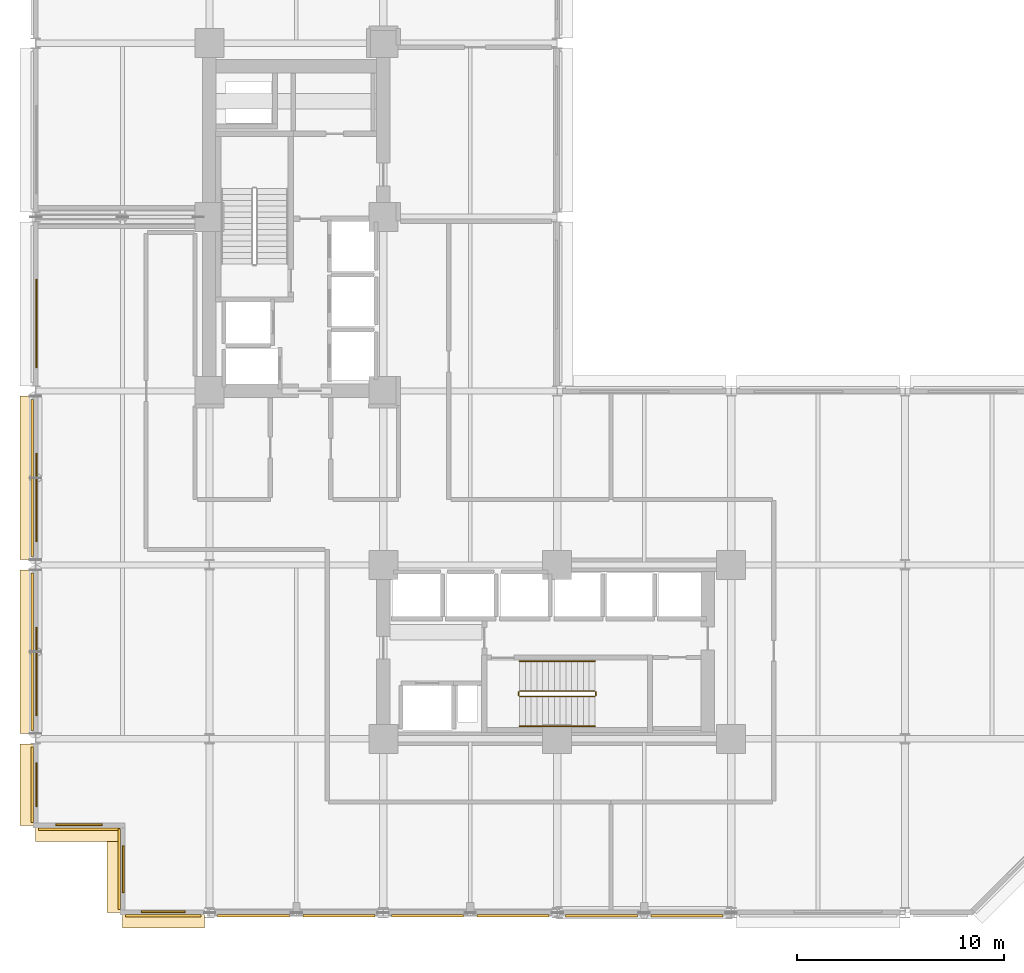
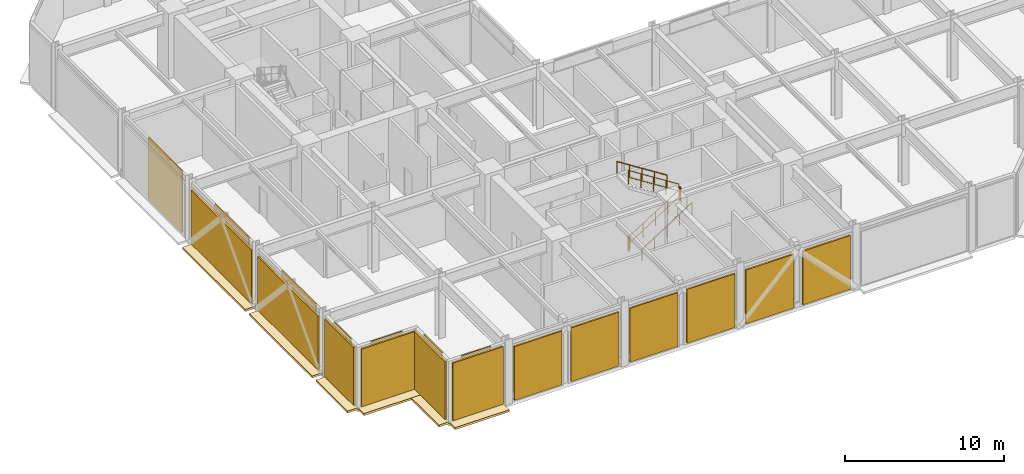
# One storey, part 10 of 13: 13 coverings, 12 shading devices, 6 railings.
"""IFC4 building model written with IfcOpenShell, lengths in metres."""

from ifc_helpers import new_model, si_unit, direction, frame, origin, origin_2d, place, context, subcontext, project, spatial, polyline, rectangle, circle, outline, extrude, material, layer, layer_set, type_object, element, save


model = new_model("IFC4")

# Units and contexts
model_context = context("Model", 3, precision=1e-05, world=origin(), true_north=direction((0.0, 1.0)))
body_context = subcontext(model_context, "Body", "Model", "MODEL_VIEW")
ifc_project = project(units=[si_unit("LENGTHUNIT", "METRE"), si_unit("AREAUNIT", "SQUARE_METRE"), si_unit("VOLUMEUNIT", "CUBIC_METRE"), si_unit("PLANEANGLEUNIT", "RADIAN"), si_unit("MASSUNIT", "GRAM", prefix="KILO")], contexts=[model_context])

# Site, building, storey
site_placement = place(None, origin())
site = spatial("IfcSite", under=ifc_project, at=site_placement, CompositionType="ELEMENT")
building_placement = place(site_placement, origin())
building = spatial("IfcBuilding", under=site, at=building_placement, Name="Nerrivon Quay Data Exchange", CompositionType="ELEMENT")
storey_placement = place(building_placement, frame((0.0, 0.0, 79.39990234375)))
storey = spatial("IfcBuildingStorey", under=building, at=storey_placement, Name="L18", CompositionType="ELEMENT", Elevation=79.39990234375)

# Coverings
ifc_material_1 = material(Name="Architectural terracotta ceramic", Category="masonry")
ifc_layer_1 = layer(ifc_material_1, 0.159912109375)
ifc_layer_set_1 = layer_set([ifc_layer_1], Name="Architectural terracotta ceramic")
covering_type_1 = type_object("IfcCoveringType", Name="COV-BLD-TERR", PredefinedType="CLADDING", material=ifc_layer_set_1)
covering_1_placement = place(storey_placement, frame((0.0, 0.0, -0.159912109375)))
element("IfcCovering", 1, at=covering_1_placement, inside=storey, type_object=covering_type_1, Name="L18 Horizontal Terracotta SOLAR SCREEN Blade", PredefinedType="CLADDING", context=body_context, shape_type="SweptSolid", body=[
    extrude(outline(polyline([(8.14990234375, 0.0400390625), (4.199951171875, 0.0400390625), (4.199951171875, -0.75), (8.14990234375, -0.75), (8.14990234375, 0.0400390625)])), origin(), (0.0, 0.0, 1.0), 0.159912109375),
])
covering_2_placement = place(storey_placement, frame((0.0, 0.0, -0.159912109375)))
element("IfcCovering", 2, at=covering_2_placement, inside=storey, type_object=covering_type_1, Name="L18 Horizontal Terracotta SOLAR SCREEN Blade", PredefinedType="CLADDING", context=body_context, shape_type="SweptSolid", body=[
    extrude(outline(polyline([(4.239990234375, 0.0), (4.239990234375, 4.199951171875), (3.449951171875, 4.199951171875), (3.449951171875, 0.0), (4.239990234375, 0.0)])), origin(), (0.0, 0.0, 1.0), 0.159912109375),
])
covering_3_placement = place(storey_placement, frame((0.0, 0.0, -0.159912109375)))
element("IfcCovering", 3, at=covering_3_placement, inside=storey, type_object=covering_type_1, Name="L18 Horizontal Terracotta SOLAR SCREEN Blade", PredefinedType="CLADDING", context=body_context, shape_type="SweptSolid", body=[
    extrude(outline(polyline([(4.199951171875, 4.239990234375), (0.0, 4.239990234375), (0.0, 3.449951171875), (4.199951171875, 3.449951171875), (4.199951171875, 4.239990234375)])), origin(), (0.0, 0.0, 1.0), 0.159912109375),
])
covering_4_placement = place(storey_placement, frame((0.0, 0.0, -0.159912109375)))
element("IfcCovering", 4, at=covering_4_placement, inside=storey, type_object=covering_type_1, Name="L18 Horizontal Terracotta SOLAR SCREEN Blade", PredefinedType="CLADDING", context=body_context, shape_type="SweptSolid", body=[
    extrude(outline(polyline([(0.0400390625, 4.199951171875), (0.0400390625, 8.14990234375), (-0.75, 8.14990234375), (-0.75, 4.199951171875), (0.0400390625, 4.199951171875)])), origin(), (0.0, 0.0, 1.0), 0.159912109375),
])
covering_5_placement = place(storey_placement, frame((0.0, 0.0, -0.159912109375)))
element("IfcCovering", 5, at=covering_5_placement, inside=storey, type_object=covering_type_1, Name="L18 Horizontal Terracotta SOLAR SCREEN Blade", PredefinedType="CLADDING", context=body_context, shape_type="SweptSolid", body=[
    extrude(outline(polyline([(0.0400390625, 8.64990234375), (0.0400390625, 16.550048828125), (-0.75, 16.550048828125), (-0.75, 8.64990234375), (0.0400390625, 8.64990234375)])), origin(), (0.0, 0.0, 1.0), 0.159912109375),
])
covering_6_placement = place(storey_placement, frame((0.0, 0.0, -0.159912109375)))
element("IfcCovering", 6, at=covering_6_placement, inside=storey, type_object=covering_type_1, Name="L18 Horizontal Terracotta SOLAR SCREEN Blade", PredefinedType="CLADDING", context=body_context, shape_type="SweptSolid", body=[
    extrude(outline(polyline([(0.0400390625, 17.050048828125), (0.0400390625, 24.949951171875), (-0.75, 24.949951171875), (-0.75, 17.050048828125), (0.0400390625, 17.050048828125)])), origin(), (0.0, 0.0, 1.0), 0.159912109375),
])
ifc_layer_2 = layer(ifc_material_1, 0.090087890625)
ifc_layer_set_2 = layer_set([ifc_layer_2], Name="Architectural terracotta ceramic")
covering_type_2 = type_object("IfcCoveringType", Name="COV-SCR-TERR", PredefinedType="CLADDING", material=ifc_layer_set_2)
covering_7_placement = place(storey_placement, frame((6.175048828125, 0.044921875, 0.0), z_axis=(0.0, 0.0, 1.0), x_axis=(-1.0, 0.0, 0.0)))
element("IfcCovering", 7, at=covering_7_placement, inside=storey, type_object=covering_type_2, Name="L18 Perforated Terracotta SOLAR SCREEN Cassette", PredefinedType="CLADDING", context=body_context, shape_type="SweptSolid", body=[
    extrude(rectangle(XDim=2.133056640625, YDim=0.090087890625, at=origin_2d()), origin(), (0.0, 0.0, 1.0), 4.72509765625),
])
for number, where, z_axis, x_axis, name in (
    (8, (4.2451171875, 2.10009765625, 0.0), (0.0, 0.0, 1.0), (0.0, 1.0, 0.0), "L18 Perforated Terracotta SOLAR SCREEN Cassette"),
    (9, (2.10009765625, 4.2451171875, 0.0), (0.0, 0.0, 1.0), (-1.0, 0.0, 0.0), "L18 Perforated Terracotta SOLAR SCREEN Cassette"),
):
    element("IfcCovering", number, at=place(storey_placement, frame(where, z_axis=z_axis, x_axis=x_axis)), inside=storey, type_object=covering_type_2, Name=name, PredefinedType="CLADDING", context=body_context, shape_type="SweptSolid", body=[
        extrude(rectangle(XDim=2.26806640625, YDim=0.090087890625, at=origin_2d()), origin(), (0.0, 0.0, 1.0), 4.72509765625),
    ])
covering_8_placement = place(storey_placement, frame((0.044921875, 6.175048828125, 0.0), z_axis=(0.0, 0.0, 1.0), x_axis=(0.0, 1.0, 0.0)))
element("IfcCovering", 10, at=covering_8_placement, inside=storey, type_object=covering_type_2, Name="L18 Perforated Terracotta SOLAR SCREEN Cassette", PredefinedType="CLADDING", context=body_context, shape_type="SweptSolid", body=[
    extrude(rectangle(XDim=2.133056640625, YDim=0.090087890625, at=origin_2d()), origin(), (0.0, 0.0, 1.0), 4.72509765625),
])
for number, where, z_axis, x_axis, name in (
    (11, (0.044921875, 11.652099609375, 0.0), (0.0, 0.0, 1.0), (0.0, 1.0, 0.0), "L18 Perforated Terracotta SOLAR SCREEN Cassette"),
    (12, (0.044921875, 20.052001953125, 0.0), (0.0, 0.0, 1.0), (0.0, 1.0, 0.0), "L18 Perforated Terracotta SOLAR SCREEN Cassette"),
    (13, (0.044921875, 28.451904296875, 0.0), (0.0, 0.0, 1.0), (0.0, 1.0, 0.0), "L18 Perforated Terracotta SOLAR SCREEN Cassette"),
):
    element("IfcCovering", number, at=place(storey_placement, frame(where, z_axis=z_axis, x_axis=x_axis)), inside=storey, type_object=covering_type_2, Name=name, PredefinedType="CLADDING", context=body_context, shape_type="SweptSolid", body=[
        extrude(rectangle(XDim=4.26611328125, YDim=0.090087890625, at=origin_2d()), origin(), (0.0, 0.0, 1.0), 4.72509765625),
    ])

# Railings
ifc_material_2 = material(Name="Steel Grade C350L0 (350 MPa)", Category="steel")
railing_type_1 = type_object("IfcRailingType", Name="RAIL-HAND-HR1", PredefinedType="HANDRAIL", material=ifc_material_2)
railing_1_placement = place(storey_placement, frame((23.3798828125, 9.0, 0.1787109375)))
element("IfcRailing", 14, at=railing_1_placement, inside=storey, type_object=railing_type_1, Name="L18 ST02 stair handrail 1", PredefinedType="HANDRAIL", context=body_context, shape_type="SweptSolid", body=[
    extrude(circle(Radius=0.02392578125, at=origin_2d()), frame((0.0, 0.0, 0.8759765625), z_axis=(0.843153495434, 0.0, 0.537672933239), x_axis=(0.0, 1.0, 0.0)), (0.0, 0.0, 1.0), 4.3173828125),
    extrude(circle(Radius=0.02099609375, at=origin_2d()), origin(), (0.0, 0.0, 1.0), 0.851806640625),
    extrude(circle(Radius=0.02099609375, at=origin_2d()), frame((0.91015625, 0.0, 0.580322265625)), (0.0, 0.0, 1.0), 0.851806640625),
    extrude(circle(Radius=0.02099609375, at=origin_2d()), frame((1.820068359375, 0.0, 1.16064453125)), (0.0, 0.0, 1.0), 0.851806640625),
    extrude(circle(Radius=0.02099609375, at=origin_2d()), frame((2.72998046875, 0.0, 1.740966796875)), (0.0, 0.0, 1.0), 0.851806640625),
    extrude(circle(Radius=0.02099609375, at=origin_2d()), frame((3.64013671875, 0.0, 2.3212890625)), (0.0, 0.0, 1.0), 0.851806640625),
])
railing_2_placement = place(storey_placement, frame((27.02001953125, 12.14990234375, 2.6787109375)))
element("IfcRailing", 15, at=railing_2_placement, inside=storey, type_object=railing_type_1, Name="L18 ST02 stair handrail 2", PredefinedType="HANDRAIL", context=body_context, shape_type="SweptSolid", body=[
    extrude(circle(Radius=0.02392578125, at=origin_2d()), frame((0.0, 0.0, 0.8759765625), z_axis=(-0.843153495434, 0.0, 0.537672933239), x_axis=(0.0, -1.0, 0.0)), (0.0, 0.0, 1.0), 4.3173828125),
    extrude(circle(Radius=0.02099609375, at=origin_2d()), origin(), (0.0, 0.0, 1.0), 0.851806640625),
    extrude(circle(Radius=0.02099609375, at=origin_2d()), frame((-0.91015625, 0.0, 0.580322265625)), (0.0, 0.0, 1.0), 0.851806640625),
    extrude(circle(Radius=0.02099609375, at=origin_2d()), frame((-1.820068359375, 0.0, 1.16064453125)), (0.0, 0.0, 1.0), 0.851806640625),
    extrude(circle(Radius=0.02099609375, at=origin_2d()), frame((-2.72998046875, 0.0, 1.740966796875)), (0.0, 0.0, 1.0), 0.851806640625),
    extrude(circle(Radius=0.02099609375, at=origin_2d()), frame((-3.64013671875, 0.0, 2.3212890625)), (0.0, 0.0, 1.0), 0.851806640625),
])
railing_type_2 = type_object("IfcRailingType", Name="RAIL-STAIR-GR1", PredefinedType="BALUSTRADE", material=ifc_material_2)
railing_3_placement = place(storey_placement, frame((23.3798828125, 10.449951171875, 0.1787109375)))
element("IfcRailing", 16, at=railing_3_placement, inside=storey, type_object=railing_type_2, Name="L18 ST02 stair guard 1", PredefinedType="BALUSTRADE", context=body_context, shape_type="SweptSolid", body=[
    extrude(circle(Radius=0.02392578125, at=origin_2d()), frame((0.0, 0.0, 1.076171875), z_axis=(0.843153495434, 0.0, 0.537672933239), x_axis=(0.0, 1.0, 0.0)), (0.0, 0.0, 1.0), 4.3173828125),
    extrude(circle(Radius=0.02392578125, at=origin_2d()), frame((0.0, 0.0, 0.550048828125), z_axis=(0.843153495434, 0.0, 0.537672933239), x_axis=(0.0, 1.0, 0.0)), (0.0, 0.0, 1.0), 4.3173828125),
    extrude(circle(Radius=0.02099609375, at=origin_2d()), origin(), (0.0, 0.0, 1.0), 1.052001953125),
    extrude(circle(Radius=0.02099609375, at=origin_2d()), frame((0.91015625, 0.0, 0.580322265625)), (0.0, 0.0, 1.0), 1.052001953125),
    extrude(circle(Radius=0.02099609375, at=origin_2d()), frame((1.820068359375, 0.0, 1.16064453125)), (0.0, 0.0, 1.0), 1.052001953125),
    extrude(circle(Radius=0.02099609375, at=origin_2d()), frame((2.72998046875, 0.0, 1.740966796875)), (0.0, 0.0, 1.0), 1.052001953125),
    extrude(circle(Radius=0.02099609375, at=origin_2d()), frame((3.64013671875, 0.0, 2.3212890625)), (0.0, 0.0, 1.0), 1.052001953125),
])
railing_4_placement = place(storey_placement, frame((27.070068359375, 10.5, 2.5)))
element("IfcRailing", 17, at=railing_4_placement, inside=storey, type_object=railing_type_2, Name="L18 ST02 stair guard 2", PredefinedType="BALUSTRADE", context=body_context, shape_type="SweptSolid", body=[
    extrude(circle(Radius=0.02392578125, at=origin_2d()), frame((0.0, 0.0, 1.076171875), z_axis=(0.0, 1.0, 0.0), x_axis=(-1.0, 0.0, 0.0)), (0.0, 0.0, 1.0), 0.14990234375),
    extrude(circle(Radius=0.02392578125, at=origin_2d()), frame((0.0, 0.0, 0.550048828125), z_axis=(0.0, 1.0, 0.0), x_axis=(-1.0, 0.0, 0.0)), (0.0, 0.0, 1.0), 0.14990234375),
    extrude(circle(Radius=0.02099609375, at=origin_2d()), origin(), (0.0, 0.0, 1.0), 1.052001953125),
    extrude(circle(Radius=0.02099609375, at=origin_2d()), frame((0.0, 0.14990234375, 0.0)), (0.0, 0.0, 1.0), 1.052001953125),
])
railing_5_placement = place(storey_placement, frame((27.02001953125, 10.699951171875, 2.6787109375)))
element("IfcRailing", 18, at=railing_5_placement, inside=storey, type_object=railing_type_2, Name="L18 ST02 stair guard 3", PredefinedType="BALUSTRADE", context=body_context, shape_type="SweptSolid", body=[
    extrude(circle(Radius=0.02392578125, at=origin_2d()), frame((0.0, 0.0, 1.076171875), z_axis=(-0.843153495434, 0.0, 0.537672933239), x_axis=(0.0, -1.0, 0.0)), (0.0, 0.0, 1.0), 4.3173828125),
    extrude(circle(Radius=0.02392578125, at=origin_2d()), frame((0.0, 0.0, 0.550048828125), z_axis=(-0.843153495434, 0.0, 0.537672933239), x_axis=(0.0, -1.0, 0.0)), (0.0, 0.0, 1.0), 4.3173828125),
    extrude(circle(Radius=0.02099609375, at=origin_2d()), origin(), (0.0, 0.0, 1.0), 1.052001953125),
    extrude(circle(Radius=0.02099609375, at=origin_2d()), frame((-0.91015625, 0.0, 0.580322265625)), (0.0, 0.0, 1.0), 1.052001953125),
    extrude(circle(Radius=0.02099609375, at=origin_2d()), frame((-1.820068359375, 0.0, 1.16064453125)), (0.0, 0.0, 1.0), 1.052001953125),
    extrude(circle(Radius=0.02099609375, at=origin_2d()), frame((-2.72998046875, 0.0, 1.740966796875)), (0.0, 0.0, 1.0), 1.052001953125),
    extrude(circle(Radius=0.02099609375, at=origin_2d()), frame((-3.64013671875, 0.0, 2.3212890625)), (0.0, 0.0, 1.0), 1.052001953125),
])
railing_6_placement = place(storey_placement, frame((23.330078125, 10.5, 0.0)))
element("IfcRailing", 19, at=railing_6_placement, inside=storey, type_object=railing_type_2, Name="L18 ST02 stair guard 4", PredefinedType="BALUSTRADE", context=body_context, shape_type="SweptSolid", body=[
    extrude(circle(Radius=0.02392578125, at=origin_2d()), frame((0.0, 0.0, 1.076171875), z_axis=(0.0, 1.0, 0.0), x_axis=(-1.0, 0.0, 0.0)), (0.0, 0.0, 1.0), 0.14990234375),
    extrude(circle(Radius=0.02392578125, at=origin_2d()), frame((0.0, 0.0, 0.550048828125), z_axis=(0.0, 1.0, 0.0), x_axis=(-1.0, 0.0, 0.0)), (0.0, 0.0, 1.0), 0.14990234375),
    extrude(circle(Radius=0.02099609375, at=origin_2d()), origin(), (0.0, 0.0, 1.0), 1.052001953125),
    extrude(circle(Radius=0.02099609375, at=origin_2d()), frame((0.0, 0.14990234375, 0.0)), (0.0, 0.0, 1.0), 1.052001953125),
])

# Shading devices
ifc_material_3 = material(Name="Anodised aluminium 6063-T6", Category="aluminium")
ifc_layer_3 = layer(ifc_material_3, 0.1201171875)
ifc_layer_set_3 = layer_set([ifc_layer_3], Name="Anodised aluminium 6063-T6")
shading_device_type = type_object("IfcShadingDeviceType", Name="SHD-LOUV-LV01", PredefinedType="JALOUSIE", material=ifc_layer_set_3)
for number, where, z_axis, x_axis, name in (
    (20, (31.46240234375, -0.159912109375, 0.150146484375), (0.0, 0.0, 1.0), (-1.0, 0.0, 0.0), "L18 Acoustic Plant Louvre LV01-8"),
    (21, (27.33740234375, -0.159912109375, 0.150146484375), (0.0, 0.0, 1.0), (-1.0, 0.0, 0.0), "L18 Acoustic Plant Louvre LV01-9"),
    (22, (23.0625, -0.159912109375, 0.150146484375), (0.0, 0.0, 1.0), (-1.0, 0.0, 0.0), "L18 Acoustic Plant Louvre LV01-10"),
    (23, (18.9375, -0.159912109375, 0.150146484375), (0.0, 0.0, 1.0), (-1.0, 0.0, 0.0), "L18 Acoustic Plant Louvre LV01-11"),
    (24, (14.66259765625, -0.159912109375, 0.150146484375), (0.0, 0.0, 1.0), (-1.0, 0.0, 0.0), "L18 Acoustic Plant Louvre LV01-12"),
    (25, (10.53759765625, -0.159912109375, 0.150146484375), (0.0, 0.0, 1.0), (-1.0, 0.0, 0.0), "L18 Acoustic Plant Louvre LV01-13"),
):
    element("IfcShadingDevice", number, at=place(storey_placement, frame(where, z_axis=z_axis, x_axis=x_axis)), inside=storey, type_object=shading_device_type, Name=name, PredefinedType="JALOUSIE", context=body_context, shape_type="SweptSolid", body=[
        extrude(rectangle(XDim=3.47509765625, YDim=0.1201171875, at=origin_2d()), origin(), (0.0, 0.0, 1.0), 4.125),
    ])
shading_device_1_placement = place(storey_placement, frame((6.175048828125, -0.159912109375, 0.14990234375), z_axis=(0.0, 0.0, 1.0), x_axis=(-1.0, 0.0, 0.0)))
element("IfcShadingDevice", 26, at=shading_device_1_placement, inside=storey, type_object=shading_device_type, Name="L18 Acoustic Plant Louvre LV01-14", PredefinedType="JALOUSIE", context=body_context, shape_type="SweptSolid", body=[
    extrude(rectangle(XDim=3.64990234375, YDim=0.1201171875, at=origin_2d()), origin(), (0.0, 0.0, 1.0), 4.425048828125),
])
for number, where, z_axis, x_axis, name in (
    (27, (4.0400390625, 2.10009765625, 0.14990234375), (0.0, 0.0, 1.0), (0.0, 1.0, 0.0), "L18 Acoustic Plant Louvre LV01-15"),
    (28, (2.10009765625, 4.0400390625, 0.14990234375), (0.0, 0.0, 1.0), (-1.0, 0.0, 0.0), "L18 Acoustic Plant Louvre LV01-16"),
):
    element("IfcShadingDevice", number, at=place(storey_placement, frame(where, z_axis=z_axis, x_axis=x_axis)), inside=storey, type_object=shading_device_type, Name=name, PredefinedType="JALOUSIE", context=body_context, shape_type="SweptSolid", body=[
        extrude(rectangle(XDim=3.89990234375, YDim=0.1201171875, at=origin_2d()), origin(), (0.0, 0.0, 1.0), 4.425048828125),
    ])
shading_device_2_placement = place(storey_placement, frame((-0.159912109375, 6.175048828125, 0.14990234375), z_axis=(0.0, 0.0, 1.0), x_axis=(0.0, 1.0, 0.0)))
element("IfcShadingDevice", 29, at=shading_device_2_placement, inside=storey, type_object=shading_device_type, Name="L18 Acoustic Plant Louvre LV01-17", PredefinedType="JALOUSIE", context=body_context, shape_type="SweptSolid", body=[
    extrude(rectangle(XDim=3.64990234375, YDim=0.1201171875, at=origin_2d()), origin(), (0.0, 0.0, 1.0), 4.425048828125),
])
for number, where, z_axis, x_axis, name in (
    (30, (-0.159912109375, 12.60009765625, 0.150146484375), (0.0, 0.0, 1.0), (0.0, 1.0, 0.0), "L18 Acoustic Plant Louvre LV01-18"),
    (31, (-0.159912109375, 21.0, 0.150146484375), (0.0, 0.0, 1.0), (0.0, 1.0, 0.0), "L18 Acoustic Plant Louvre LV01-19"),
):
    element("IfcShadingDevice", number, at=place(storey_placement, frame(where, z_axis=z_axis, x_axis=x_axis)), inside=storey, type_object=shading_device_type, Name=name, PredefinedType="JALOUSIE", context=body_context, shape_type="SweptSolid", body=[
        extrude(rectangle(XDim=7.60009765625, YDim=0.1201171875, at=origin_2d()), origin(), (0.0, 0.0, 1.0), 4.125),
    ])

save(model, "model.ifc")
